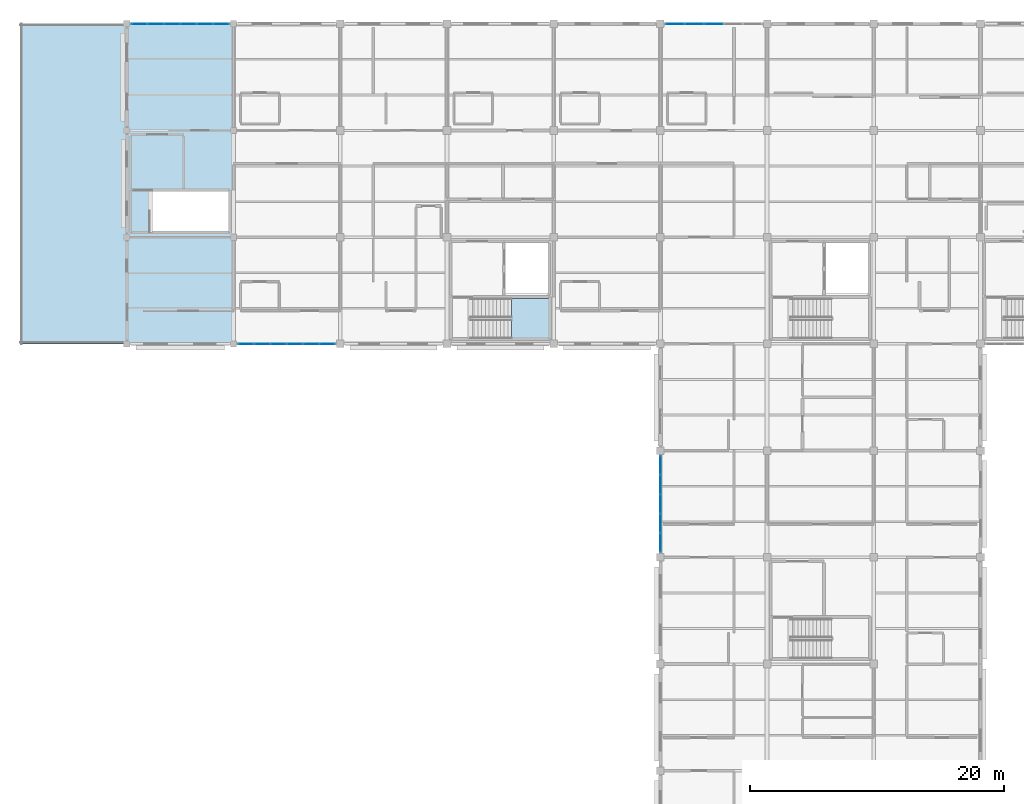
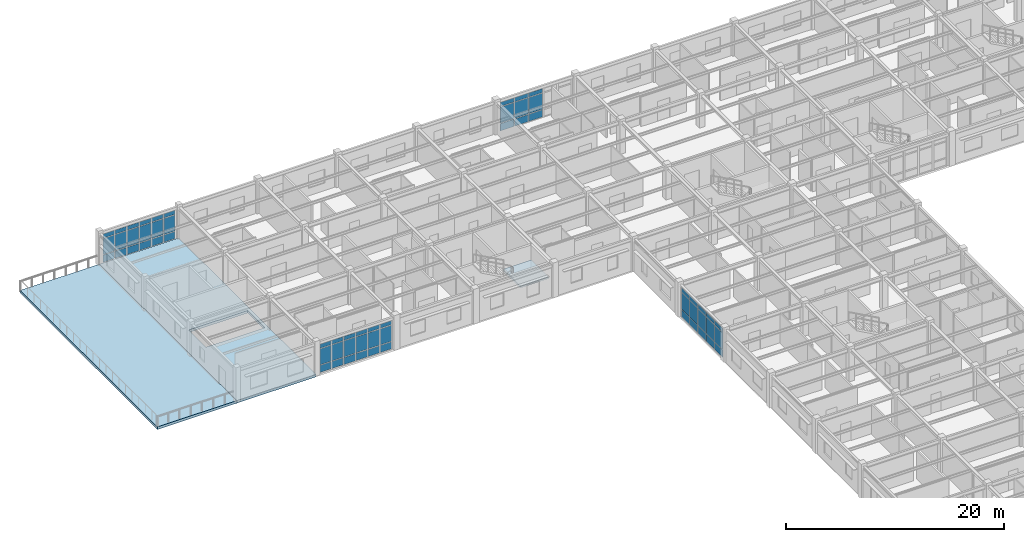
# One storey, part 40 of 70: 60 plates, 3 slabs, 5 elements without a shape of their own.
"""IFC4 building model written with IfcOpenShell, lengths in metres."""

from ifc_helpers import new_model, si_unit, direction, frame, origin, origin_2d, place, context, subcontext, project, spatial, polyline, rectangle, outline, extrude, material, layer, layer_set, type_object, element, aggregate, save


model = new_model("IFC4")

# Units and contexts
model_context = context("Model", 3, precision=1e-05, world=origin(), true_north=direction((0.0, 1.0)))
body_context = subcontext(model_context, "Body", "Model", "MODEL_VIEW")
ifc_project = project(units=[si_unit("LENGTHUNIT", "METRE"), si_unit("AREAUNIT", "SQUARE_METRE"), si_unit("VOLUMEUNIT", "CUBIC_METRE"), si_unit("PLANEANGLEUNIT", "RADIAN"), si_unit("MASSUNIT", "GRAM", prefix="KILO")], contexts=[model_context])

# Site, building, storey
site_placement = place(None, origin())
site = spatial("IfcSite", under=ifc_project, at=site_placement, CompositionType="ELEMENT")
building_placement = place(site_placement, origin())
building = spatial("IfcBuilding", under=site, at=building_placement, Name="Bramfleet General Hospital", CompositionType="ELEMENT")
storey_placement = place(building_placement, frame((0.0, 0.0, 22.5)))
storey = spatial("IfcBuildingStorey", under=building, at=storey_placement, Name="L05", CompositionType="ELEMENT", Elevation=22.5)

# Curtain wall, plates
ifc_material_1 = material(Name="Anodised aluminium and low-E triple glazing", Category="aluminium")
ifc_layer_1 = layer(ifc_material_1, 0.179931640625, Name="CWT-CW-03")
ifc_layer_set_1 = layer_set([ifc_layer_1], Name="Anodised aluminium and low-E triple glazing")
curtain_wall_type_1 = type_object("IfcCurtainWallType", Name="CWT-CW-03", PredefinedType="USERDEFINED", material=ifc_layer_set_1)
curtain_wall_1_placement = place(storey_placement, origin())
curtain_wall_1 = element("IfcCurtainWall", 1, at=curtain_wall_1_placement, inside=storey, type_object=curtain_wall_type_1, Name="L05 Curtain Wall 201", ObjectType="Unitised curtain wall", PredefinedType="USERDEFINED")
ifc_material_2 = material(Name="Low-E laminated safety glass", Category="glass")
ifc_layer_2 = layer(ifc_material_2, 0.028076171875, Name="CWP-GLZ-1")
ifc_layer_set_2 = layer_set([ifc_layer_2], Name="Low-E laminated safety glass")
plate_type_1 = type_object("IfcPlateType", Name="CWP-GLZ-1", PredefinedType="CURTAIN_PANEL", material=ifc_layer_set_2)
plate_1_placement = place(storey_placement, frame((66.165771484375, 92.39990234375, 0.06494140625), z_axis=(0.0, 0.0, 1.0), x_axis=(-1.0, 0.0, 0.0)))
plate_1 = element("IfcPlate", 2, at=plate_1_placement, type_object=plate_type_1, Name="CW-03 panel 1.1", PredefinedType="CURTAIN_PANEL", context=body_context, shape_type="SweptSolid", body=[
    extrude(rectangle(XDim=1.17822265625, YDim=0.028076171875, at=origin_2d()), origin(), (0.0, 0.0, 1.0), 0.802490234375),
])
plate_2_placement = place(storey_placement, frame((66.165771484375, 92.39990234375, 0.9326171875), z_axis=(0.0, 0.0, 1.0), x_axis=(-1.0, 0.0, 0.0)))
plate_2 = element("IfcPlate", 3, at=plate_2_placement, type_object=plate_type_1, Name="CW-03 panel 1.2", PredefinedType="CURTAIN_PANEL", context=body_context, shape_type="SweptSolid", body=[
    extrude(rectangle(XDim=1.17822265625, YDim=0.028076171875, at=origin_2d()), origin(), (0.0, 0.0, 1.0), 1.784912109375),
])
plate_3_placement = place(storey_placement, frame((66.165771484375, 92.39990234375, 2.78271484375), z_axis=(0.0, 0.0, 1.0), x_axis=(-1.0, 0.0, 0.0)))
plate_3 = element("IfcPlate", 4, at=plate_3_placement, type_object=plate_type_1, Name="CW-03 panel 1.3", PredefinedType="CURTAIN_PANEL", context=body_context, shape_type="SweptSolid", body=[
    extrude(rectangle(XDim=1.17822265625, YDim=0.028076171875, at=origin_2d()), origin(), (0.0, 0.0, 1.0), 0.452392578125),
])
plate_4_placement = place(storey_placement, frame((64.89990234375, 92.39990234375, 0.06494140625), z_axis=(0.0, 0.0, 1.0), x_axis=(-1.0, 0.0, 0.0)))
plate_4 = element("IfcPlate", 5, at=plate_4_placement, type_object=plate_type_1, Name="CW-03 panel 2.1", PredefinedType="CURTAIN_PANEL", context=body_context, shape_type="SweptSolid", body=[
    extrude(rectangle(XDim=1.21337890625, YDim=0.028076171875, at=origin_2d()), origin(), (0.0, 0.0, 1.0), 0.802490234375),
])
plate_5_placement = place(storey_placement, frame((64.89990234375, 92.39990234375, 0.9326171875), z_axis=(0.0, 0.0, 1.0), x_axis=(-1.0, 0.0, 0.0)))
plate_5 = element("IfcPlate", 6, at=plate_5_placement, type_object=plate_type_1, Name="CW-03 panel 2.2", PredefinedType="CURTAIN_PANEL", context=body_context, shape_type="SweptSolid", body=[
    extrude(rectangle(XDim=1.21337890625, YDim=0.028076171875, at=origin_2d()), origin(), (0.0, 0.0, 1.0), 1.784912109375),
])
plate_6_placement = place(storey_placement, frame((64.89990234375, 92.39990234375, 2.78271484375), z_axis=(0.0, 0.0, 1.0), x_axis=(-1.0, 0.0, 0.0)))
plate_6 = element("IfcPlate", 7, at=plate_6_placement, type_object=plate_type_1, Name="CW-03 panel 2.3", PredefinedType="CURTAIN_PANEL", context=body_context, shape_type="SweptSolid", body=[
    extrude(rectangle(XDim=1.21337890625, YDim=0.028076171875, at=origin_2d()), origin(), (0.0, 0.0, 1.0), 0.452392578125),
])
plate_7_placement = place(storey_placement, frame((63.61669921875, 92.39990234375, 0.06494140625), z_axis=(0.0, 0.0, 1.0), x_axis=(-1.0, 0.0, 0.0)))
plate_7 = element("IfcPlate", 8, at=plate_7_placement, type_object=plate_type_1, Name="CW-03 panel 3.1", PredefinedType="CURTAIN_PANEL", context=body_context, shape_type="SweptSolid", body=[
    extrude(rectangle(XDim=1.21337890625, YDim=0.028076171875, at=origin_2d()), origin(), (0.0, 0.0, 1.0), 0.802490234375),
])
plate_8_placement = place(storey_placement, frame((63.61669921875, 92.39990234375, 0.9326171875), z_axis=(0.0, 0.0, 1.0), x_axis=(-1.0, 0.0, 0.0)))
plate_8 = element("IfcPlate", 9, at=plate_8_placement, type_object=plate_type_1, Name="CW-03 panel 3.2", PredefinedType="CURTAIN_PANEL", context=body_context, shape_type="SweptSolid", body=[
    extrude(rectangle(XDim=1.21337890625, YDim=0.028076171875, at=origin_2d()), origin(), (0.0, 0.0, 1.0), 1.784912109375),
])
plate_9_placement = place(storey_placement, frame((63.61669921875, 92.39990234375, 2.78271484375), z_axis=(0.0, 0.0, 1.0), x_axis=(-1.0, 0.0, 0.0)))
plate_9 = element("IfcPlate", 10, at=plate_9_placement, type_object=plate_type_1, Name="CW-03 panel 3.3", PredefinedType="CURTAIN_PANEL", context=body_context, shape_type="SweptSolid", body=[
    extrude(rectangle(XDim=1.21337890625, YDim=0.028076171875, at=origin_2d()), origin(), (0.0, 0.0, 1.0), 0.452392578125),
])
plate_10_placement = place(storey_placement, frame((62.333251953125, 92.39990234375, 0.06494140625), z_axis=(0.0, 0.0, 1.0), x_axis=(-1.0, 0.0, 0.0)))
plate_10 = element("IfcPlate", 11, at=plate_10_placement, type_object=plate_type_1, Name="CW-03 panel 4.1", PredefinedType="CURTAIN_PANEL", context=body_context, shape_type="SweptSolid", body=[
    extrude(rectangle(XDim=1.21337890625, YDim=0.028076171875, at=origin_2d()), origin(), (0.0, 0.0, 1.0), 0.802490234375),
])
plate_11_placement = place(storey_placement, frame((62.333251953125, 92.39990234375, 0.9326171875), z_axis=(0.0, 0.0, 1.0), x_axis=(-1.0, 0.0, 0.0)))
plate_11 = element("IfcPlate", 12, at=plate_11_placement, type_object=plate_type_1, Name="CW-03 panel 4.2", PredefinedType="CURTAIN_PANEL", context=body_context, shape_type="SweptSolid", body=[
    extrude(rectangle(XDim=1.21337890625, YDim=0.028076171875, at=origin_2d()), origin(), (0.0, 0.0, 1.0), 1.784912109375),
])
plate_12_placement = place(storey_placement, frame((62.333251953125, 92.39990234375, 2.78271484375), z_axis=(0.0, 0.0, 1.0), x_axis=(-1.0, 0.0, 0.0)))
plate_12 = element("IfcPlate", 13, at=plate_12_placement, type_object=plate_type_1, Name="CW-03 panel 4.3", PredefinedType="CURTAIN_PANEL", context=body_context, shape_type="SweptSolid", body=[
    extrude(rectangle(XDim=1.21337890625, YDim=0.028076171875, at=origin_2d()), origin(), (0.0, 0.0, 1.0), 0.452392578125),
])
plate_13_placement = place(storey_placement, frame((61.050048828125, 92.39990234375, 0.06494140625), z_axis=(0.0, 0.0, 1.0), x_axis=(-1.0, 0.0, 0.0)))
plate_13 = element("IfcPlate", 14, at=plate_13_placement, type_object=plate_type_1, Name="CW-03 panel 5.1", PredefinedType="CURTAIN_PANEL", context=body_context, shape_type="SweptSolid", body=[
    extrude(rectangle(XDim=1.21337890625, YDim=0.028076171875, at=origin_2d()), origin(), (0.0, 0.0, 1.0), 0.802490234375),
])
plate_14_placement = place(storey_placement, frame((61.050048828125, 92.39990234375, 0.9326171875), z_axis=(0.0, 0.0, 1.0), x_axis=(-1.0, 0.0, 0.0)))
plate_14 = element("IfcPlate", 15, at=plate_14_placement, type_object=plate_type_1, Name="CW-03 panel 5.2", PredefinedType="CURTAIN_PANEL", context=body_context, shape_type="SweptSolid", body=[
    extrude(rectangle(XDim=1.21337890625, YDim=0.028076171875, at=origin_2d()), origin(), (0.0, 0.0, 1.0), 1.784912109375),
])
plate_15_placement = place(storey_placement, frame((61.050048828125, 92.39990234375, 2.78271484375), z_axis=(0.0, 0.0, 1.0), x_axis=(-1.0, 0.0, 0.0)))
plate_15 = element("IfcPlate", 16, at=plate_15_placement, type_object=plate_type_1, Name="CW-03 panel 5.3", PredefinedType="CURTAIN_PANEL", context=body_context, shape_type="SweptSolid", body=[
    extrude(rectangle(XDim=1.21337890625, YDim=0.028076171875, at=origin_2d()), origin(), (0.0, 0.0, 1.0), 0.452392578125),
])
plate_16_placement = place(storey_placement, frame((59.7841796875, 92.39990234375, 0.06494140625), z_axis=(0.0, 0.0, 1.0), x_axis=(-1.0, 0.0, 0.0)))
plate_16 = element("IfcPlate", 17, at=plate_16_placement, type_object=plate_type_1, Name="CW-03 panel 6.1", PredefinedType="CURTAIN_PANEL", context=body_context, shape_type="SweptSolid", body=[
    extrude(rectangle(XDim=1.17822265625, YDim=0.028076171875, at=origin_2d()), origin(), (0.0, 0.0, 1.0), 0.802490234375),
])
plate_17_placement = place(storey_placement, frame((59.7841796875, 92.39990234375, 0.9326171875), z_axis=(0.0, 0.0, 1.0), x_axis=(-1.0, 0.0, 0.0)))
plate_17 = element("IfcPlate", 18, at=plate_17_placement, type_object=plate_type_1, Name="CW-03 panel 6.2", PredefinedType="CURTAIN_PANEL", context=body_context, shape_type="SweptSolid", body=[
    extrude(rectangle(XDim=1.17822265625, YDim=0.028076171875, at=origin_2d()), origin(), (0.0, 0.0, 1.0), 1.784912109375),
])
plate_18_placement = place(storey_placement, frame((59.7841796875, 92.39990234375, 2.78271484375), z_axis=(0.0, 0.0, 1.0), x_axis=(-1.0, 0.0, 0.0)))
plate_18 = element("IfcPlate", 19, at=plate_18_placement, type_object=plate_type_1, Name="CW-03 panel 6.3", PredefinedType="CURTAIN_PANEL", context=body_context, shape_type="SweptSolid", body=[
    extrude(rectangle(XDim=1.17822265625, YDim=0.028076171875, at=origin_2d()), origin(), (0.0, 0.0, 1.0), 0.452392578125),
])
aggregate(curtain_wall_1, [plate_1, plate_2, plate_3, plate_4, plate_5, plate_6, plate_7, plate_8, plate_9, plate_10, plate_11, plate_12, plate_13, plate_14, plate_15, plate_16, plate_17, plate_18])

ifc_layer_3 = layer(ifc_material_1, 0.179931640625, Name="CWT-CW-04")
ifc_layer_set_3 = layer_set([ifc_layer_3], Name="Anodised aluminium and low-E triple glazing")
curtain_wall_type_2 = type_object("IfcCurtainWallType", Name="CWT-CW-04", PredefinedType="USERDEFINED", material=ifc_layer_set_3)
curtain_wall_2_placement = place(storey_placement, origin())
curtain_wall_2 = element("IfcCurtainWall", 20, at=curtain_wall_2_placement, inside=storey, type_object=curtain_wall_type_2, Name="L05 Curtain Wall 202", ObjectType="Unitised curtain wall", PredefinedType="USERDEFINED")
ifc_layer_4 = layer(ifc_material_2, 0.031982421875, Name="CWP-GLZ-2")
ifc_layer_set_4 = layer_set([ifc_layer_4], Name="Low-E laminated safety glass")
plate_type_2 = type_object("IfcPlateType", Name="CWP-GLZ-2", PredefinedType="CURTAIN_PANEL", material=ifc_layer_set_4)
plate_19_placement = place(storey_placement, frame((51.388427734375, 117.60009765625, 0.06494140625), z_axis=(0.0, 0.0, 1.0), x_axis=(1.0, 0.0, 0.0)))
plate_19 = element("IfcPlate", 21, at=plate_19_placement, type_object=plate_type_2, Name="CW-04 panel 1.1", PredefinedType="CURTAIN_PANEL", context=body_context, shape_type="SweptSolid", body=[
    extrude(rectangle(XDim=1.186767578125, YDim=0.031982421875, at=origin_2d()), origin(), (0.0, 0.0, 1.0), 0.802490234375),
])
plate_20_placement = place(storey_placement, frame((51.388427734375, 117.60009765625, 0.9326171875), z_axis=(0.0, 0.0, 1.0), x_axis=(1.0, 0.0, 0.0)))
plate_20 = element("IfcPlate", 22, at=plate_20_placement, type_object=plate_type_2, Name="CW-04 panel 1.2", PredefinedType="CURTAIN_PANEL", context=body_context, shape_type="SweptSolid", body=[
    extrude(rectangle(XDim=1.186767578125, YDim=0.031982421875, at=origin_2d()), origin(), (0.0, 0.0, 1.0), 1.784912109375),
])
plate_21_placement = place(storey_placement, frame((51.388427734375, 117.60009765625, 2.78271484375), z_axis=(0.0, 0.0, 1.0), x_axis=(1.0, 0.0, 0.0)))
plate_21 = element("IfcPlate", 23, at=plate_21_placement, type_object=plate_type_2, Name="CW-04 panel 1.3", PredefinedType="CURTAIN_PANEL", context=body_context, shape_type="SweptSolid", body=[
    extrude(rectangle(XDim=1.186767578125, YDim=0.031982421875, at=origin_2d()), origin(), (0.0, 0.0, 1.0), 0.452392578125),
])
plate_22_placement = place(storey_placement, frame((52.66259765625, 117.60009765625, 0.06494140625), z_axis=(0.0, 0.0, 1.0), x_axis=(1.0, 0.0, 0.0)))
plate_22 = element("IfcPlate", 24, at=plate_22_placement, type_object=plate_type_2, Name="CW-04 panel 2.1", PredefinedType="CURTAIN_PANEL", context=body_context, shape_type="SweptSolid", body=[
    extrude(rectangle(XDim=1.2216796875, YDim=0.031982421875, at=origin_2d()), origin(), (0.0, 0.0, 1.0), 0.802490234375),
])
plate_23_placement = place(storey_placement, frame((52.66259765625, 117.60009765625, 0.9326171875), z_axis=(0.0, 0.0, 1.0), x_axis=(1.0, 0.0, 0.0)))
plate_23 = element("IfcPlate", 25, at=plate_23_placement, type_object=plate_type_2, Name="CW-04 panel 2.2", PredefinedType="CURTAIN_PANEL", context=body_context, shape_type="SweptSolid", body=[
    extrude(rectangle(XDim=1.2216796875, YDim=0.031982421875, at=origin_2d()), origin(), (0.0, 0.0, 1.0), 1.784912109375),
])
plate_24_placement = place(storey_placement, frame((52.66259765625, 117.60009765625, 2.78271484375), z_axis=(0.0, 0.0, 1.0), x_axis=(1.0, 0.0, 0.0)))
plate_24 = element("IfcPlate", 26, at=plate_24_placement, type_object=plate_type_2, Name="CW-04 panel 2.3", PredefinedType="CURTAIN_PANEL", context=body_context, shape_type="SweptSolid", body=[
    extrude(rectangle(XDim=1.2216796875, YDim=0.031982421875, at=origin_2d()), origin(), (0.0, 0.0, 1.0), 0.452392578125),
])
plate_25_placement = place(storey_placement, frame((53.9541015625, 117.60009765625, 0.06494140625), z_axis=(0.0, 0.0, 1.0), x_axis=(1.0, 0.0, 0.0)))
plate_25 = element("IfcPlate", 27, at=plate_25_placement, type_object=plate_type_2, Name="CW-04 panel 3.1", PredefinedType="CURTAIN_PANEL", context=body_context, shape_type="SweptSolid", body=[
    extrude(rectangle(XDim=1.2216796875, YDim=0.031982421875, at=origin_2d()), origin(), (0.0, 0.0, 1.0), 0.802490234375),
])
plate_26_placement = place(storey_placement, frame((53.9541015625, 117.60009765625, 0.9326171875), z_axis=(0.0, 0.0, 1.0), x_axis=(1.0, 0.0, 0.0)))
plate_26 = element("IfcPlate", 28, at=plate_26_placement, type_object=plate_type_2, Name="CW-04 panel 3.2", PredefinedType="CURTAIN_PANEL", context=body_context, shape_type="SweptSolid", body=[
    extrude(rectangle(XDim=1.2216796875, YDim=0.031982421875, at=origin_2d()), origin(), (0.0, 0.0, 1.0), 1.784912109375),
])
plate_27_placement = place(storey_placement, frame((53.9541015625, 117.60009765625, 2.78271484375), z_axis=(0.0, 0.0, 1.0), x_axis=(1.0, 0.0, 0.0)))
plate_27 = element("IfcPlate", 29, at=plate_27_placement, type_object=plate_type_2, Name="CW-04 panel 3.3", PredefinedType="CURTAIN_PANEL", context=body_context, shape_type="SweptSolid", body=[
    extrude(rectangle(XDim=1.2216796875, YDim=0.031982421875, at=origin_2d()), origin(), (0.0, 0.0, 1.0), 0.452392578125),
])
plate_28_placement = place(storey_placement, frame((55.245849609375, 117.60009765625, 0.06494140625), z_axis=(0.0, 0.0, 1.0), x_axis=(1.0, 0.0, 0.0)))
plate_28 = element("IfcPlate", 30, at=plate_28_placement, type_object=plate_type_2, Name="CW-04 panel 4.1", PredefinedType="CURTAIN_PANEL", context=body_context, shape_type="SweptSolid", body=[
    extrude(rectangle(XDim=1.2216796875, YDim=0.031982421875, at=origin_2d()), origin(), (0.0, 0.0, 1.0), 0.802490234375),
])
plate_29_placement = place(storey_placement, frame((55.245849609375, 117.60009765625, 0.9326171875), z_axis=(0.0, 0.0, 1.0), x_axis=(1.0, 0.0, 0.0)))
plate_29 = element("IfcPlate", 31, at=plate_29_placement, type_object=plate_type_2, Name="CW-04 panel 4.2", PredefinedType="CURTAIN_PANEL", context=body_context, shape_type="SweptSolid", body=[
    extrude(rectangle(XDim=1.2216796875, YDim=0.031982421875, at=origin_2d()), origin(), (0.0, 0.0, 1.0), 1.784912109375),
])
plate_30_placement = place(storey_placement, frame((55.245849609375, 117.60009765625, 2.78271484375), z_axis=(0.0, 0.0, 1.0), x_axis=(1.0, 0.0, 0.0)))
plate_30 = element("IfcPlate", 32, at=plate_30_placement, type_object=plate_type_2, Name="CW-04 panel 4.3", PredefinedType="CURTAIN_PANEL", context=body_context, shape_type="SweptSolid", body=[
    extrude(rectangle(XDim=1.2216796875, YDim=0.031982421875, at=origin_2d()), origin(), (0.0, 0.0, 1.0), 0.452392578125),
])
plate_31_placement = place(storey_placement, frame((56.53759765625, 117.60009765625, 0.06494140625), z_axis=(0.0, 0.0, 1.0), x_axis=(1.0, 0.0, 0.0)))
plate_31 = element("IfcPlate", 33, at=plate_31_placement, type_object=plate_type_2, Name="CW-04 panel 5.1", PredefinedType="CURTAIN_PANEL", context=body_context, shape_type="SweptSolid", body=[
    extrude(rectangle(XDim=1.2216796875, YDim=0.031982421875, at=origin_2d()), origin(), (0.0, 0.0, 1.0), 0.802490234375),
])
plate_32_placement = place(storey_placement, frame((56.53759765625, 117.60009765625, 0.9326171875), z_axis=(0.0, 0.0, 1.0), x_axis=(1.0, 0.0, 0.0)))
plate_32 = element("IfcPlate", 34, at=plate_32_placement, type_object=plate_type_2, Name="CW-04 panel 5.2", PredefinedType="CURTAIN_PANEL", context=body_context, shape_type="SweptSolid", body=[
    extrude(rectangle(XDim=1.2216796875, YDim=0.031982421875, at=origin_2d()), origin(), (0.0, 0.0, 1.0), 1.784912109375),
])
plate_33_placement = place(storey_placement, frame((56.53759765625, 117.60009765625, 2.78271484375), z_axis=(0.0, 0.0, 1.0), x_axis=(1.0, 0.0, 0.0)))
plate_33 = element("IfcPlate", 35, at=plate_33_placement, type_object=plate_type_2, Name="CW-04 panel 5.3", PredefinedType="CURTAIN_PANEL", context=body_context, shape_type="SweptSolid", body=[
    extrude(rectangle(XDim=1.2216796875, YDim=0.031982421875, at=origin_2d()), origin(), (0.0, 0.0, 1.0), 0.452392578125),
])
plate_34_placement = place(storey_placement, frame((57.811767578125, 117.60009765625, 0.06494140625), z_axis=(0.0, 0.0, 1.0), x_axis=(1.0, 0.0, 0.0)))
plate_34 = element("IfcPlate", 36, at=plate_34_placement, type_object=plate_type_2, Name="CW-04 panel 6.1", PredefinedType="CURTAIN_PANEL", context=body_context, shape_type="SweptSolid", body=[
    extrude(rectangle(XDim=1.186767578125, YDim=0.031982421875, at=origin_2d()), origin(), (0.0, 0.0, 1.0), 0.802490234375),
])
plate_35_placement = place(storey_placement, frame((57.811767578125, 117.60009765625, 0.9326171875), z_axis=(0.0, 0.0, 1.0), x_axis=(1.0, 0.0, 0.0)))
plate_35 = element("IfcPlate", 37, at=plate_35_placement, type_object=plate_type_2, Name="CW-04 panel 6.2", PredefinedType="CURTAIN_PANEL", context=body_context, shape_type="SweptSolid", body=[
    extrude(rectangle(XDim=1.186767578125, YDim=0.031982421875, at=origin_2d()), origin(), (0.0, 0.0, 1.0), 1.784912109375),
])
plate_36_placement = place(storey_placement, frame((57.811767578125, 117.60009765625, 2.78271484375), z_axis=(0.0, 0.0, 1.0), x_axis=(1.0, 0.0, 0.0)))
plate_36 = element("IfcPlate", 38, at=plate_36_placement, type_object=plate_type_2, Name="CW-04 panel 6.3", PredefinedType="CURTAIN_PANEL", context=body_context, shape_type="SweptSolid", body=[
    extrude(rectangle(XDim=1.186767578125, YDim=0.031982421875, at=origin_2d()), origin(), (0.0, 0.0, 1.0), 0.452392578125),
])
aggregate(curtain_wall_2, [plate_19, plate_20, plate_21, plate_22, plate_23, plate_24, plate_25, plate_26, plate_27, plate_28, plate_29, plate_30, plate_31, plate_32, plate_33, plate_34, plate_35, plate_36])

ifc_layer_5 = layer(ifc_material_1, 0.179931640625, Name="CWT-CW-05")
ifc_layer_set_5 = layer_set([ifc_layer_5], Name="Anodised aluminium and low-E triple glazing")
curtain_wall_type_3 = type_object("IfcCurtainWallType", Name="CWT-CW-05", PredefinedType="USERDEFINED", material=ifc_layer_set_5)
curtain_wall_3_placement = place(storey_placement, origin())
curtain_wall_3 = element("IfcCurtainWall", 39, at=curtain_wall_3_placement, inside=storey, type_object=curtain_wall_type_3, Name="L05 Curtain Wall 203", ObjectType="Unitised curtain wall", PredefinedType="USERDEFINED")
ifc_layer_6 = layer(ifc_material_2, 0.035888671875, Name="CWP-GLZ-3")
ifc_layer_set_6 = layer_set([ifc_layer_6], Name="Low-E laminated safety glass")
plate_type_3 = type_object("IfcPlateType", Name="CWP-GLZ-3", PredefinedType="CURTAIN_PANEL", material=ifc_layer_set_6)
plate_37_placement = place(storey_placement, frame((93.5576171875, 117.60009765625, 0.06494140625), z_axis=(0.0, 0.0, 1.0), x_axis=(1.0, 0.0, 0.0)))
plate_37 = element("IfcPlate", 40, at=plate_37_placement, type_object=plate_type_3, Name="CW-05 panel 1.1", PredefinedType="CURTAIN_PANEL", context=body_context, shape_type="SweptSolid", body=[
    extrude(rectangle(XDim=1.425048828125, YDim=0.035888671875, at=origin_2d()), origin(), (0.0, 0.0, 1.0), 0.802490234375),
])
plate_38_placement = place(storey_placement, frame((93.5576171875, 117.60009765625, 0.9326171875), z_axis=(0.0, 0.0, 1.0), x_axis=(1.0, 0.0, 0.0)))
plate_38 = element("IfcPlate", 41, at=plate_38_placement, type_object=plate_type_3, Name="CW-05 panel 1.2", PredefinedType="CURTAIN_PANEL", context=body_context, shape_type="SweptSolid", body=[
    extrude(rectangle(XDim=1.425048828125, YDim=0.035888671875, at=origin_2d()), origin(), (0.0, 0.0, 1.0), 1.794921875),
])
plate_39_placement = place(storey_placement, frame((93.5576171875, 117.60009765625, 2.79248046875), z_axis=(0.0, 0.0, 1.0), x_axis=(1.0, 0.0, 0.0)))
plate_39 = element("IfcPlate", 42, at=plate_39_placement, type_object=plate_type_3, Name="CW-05 panel 1.3", PredefinedType="CURTAIN_PANEL", context=body_context, shape_type="SweptSolid", body=[
    extrude(rectangle(XDim=1.425048828125, YDim=0.035888671875, at=origin_2d()), origin(), (0.0, 0.0, 1.0), 0.452392578125),
])
plate_40_placement = place(storey_placement, frame((95.070068359375, 117.60009765625, 0.06494140625), z_axis=(0.0, 0.0, 1.0), x_axis=(1.0, 0.0, 0.0)))
plate_40 = element("IfcPlate", 43, at=plate_40_placement, type_object=plate_type_3, Name="CW-05 panel 2.1", PredefinedType="CURTAIN_PANEL", context=body_context, shape_type="SweptSolid", body=[
    extrude(rectangle(XDim=1.4599609375, YDim=0.035888671875, at=origin_2d()), origin(), (0.0, 0.0, 1.0), 0.802490234375),
])
plate_41_placement = place(storey_placement, frame((95.070068359375, 117.60009765625, 0.9326171875), z_axis=(0.0, 0.0, 1.0), x_axis=(1.0, 0.0, 0.0)))
plate_41 = element("IfcPlate", 44, at=plate_41_placement, type_object=plate_type_3, Name="CW-05 panel 2.2", PredefinedType="CURTAIN_PANEL", context=body_context, shape_type="SweptSolid", body=[
    extrude(rectangle(XDim=1.4599609375, YDim=0.035888671875, at=origin_2d()), origin(), (0.0, 0.0, 1.0), 1.794921875),
])
plate_42_placement = place(storey_placement, frame((95.070068359375, 117.60009765625, 2.79248046875), z_axis=(0.0, 0.0, 1.0), x_axis=(1.0, 0.0, 0.0)))
plate_42 = element("IfcPlate", 45, at=plate_42_placement, type_object=plate_type_3, Name="CW-05 panel 2.3", PredefinedType="CURTAIN_PANEL", context=body_context, shape_type="SweptSolid", body=[
    extrude(rectangle(XDim=1.4599609375, YDim=0.035888671875, at=origin_2d()), origin(), (0.0, 0.0, 1.0), 0.452392578125),
])
plate_43_placement = place(storey_placement, frame((96.60009765625, 117.60009765625, 0.06494140625), z_axis=(0.0, 0.0, 1.0), x_axis=(1.0, 0.0, 0.0)))
plate_43 = element("IfcPlate", 46, at=plate_43_placement, type_object=plate_type_3, Name="CW-05 panel 3.1", PredefinedType="CURTAIN_PANEL", context=body_context, shape_type="SweptSolid", body=[
    extrude(rectangle(XDim=1.4599609375, YDim=0.035888671875, at=origin_2d()), origin(), (0.0, 0.0, 1.0), 0.802490234375),
])
plate_44_placement = place(storey_placement, frame((96.60009765625, 117.60009765625, 0.9326171875), z_axis=(0.0, 0.0, 1.0), x_axis=(1.0, 0.0, 0.0)))
plate_44 = element("IfcPlate", 47, at=plate_44_placement, type_object=plate_type_3, Name="CW-05 panel 3.2", PredefinedType="CURTAIN_PANEL", context=body_context, shape_type="SweptSolid", body=[
    extrude(rectangle(XDim=1.4599609375, YDim=0.035888671875, at=origin_2d()), origin(), (0.0, 0.0, 1.0), 1.794921875),
])
plate_45_placement = place(storey_placement, frame((96.60009765625, 117.60009765625, 2.79248046875), z_axis=(0.0, 0.0, 1.0), x_axis=(1.0, 0.0, 0.0)))
plate_45 = element("IfcPlate", 48, at=plate_45_placement, type_object=plate_type_3, Name="CW-05 panel 3.3", PredefinedType="CURTAIN_PANEL", context=body_context, shape_type="SweptSolid", body=[
    extrude(rectangle(XDim=1.4599609375, YDim=0.035888671875, at=origin_2d()), origin(), (0.0, 0.0, 1.0), 0.452392578125),
])
aggregate(curtain_wall_3, [plate_37, plate_38, plate_39, plate_40, plate_41, plate_42, plate_43, plate_44, plate_45])

ifc_layer_7 = layer(ifc_material_1, 0.179931640625, Name="CWT-CW-02")
ifc_layer_set_7 = layer_set([ifc_layer_7], Name="Anodised aluminium and low-E triple glazing")
curtain_wall_type_4 = type_object("IfcCurtainWallType", Name="CWT-CW-02", PredefinedType="USERDEFINED", material=ifc_layer_set_7)
curtain_wall_4_placement = place(storey_placement, origin())
curtain_wall_4 = element("IfcCurtainWall", 49, at=curtain_wall_4_placement, inside=storey, type_object=curtain_wall_type_4, Name="L05 Curtain Wall 200", ObjectType="Unitised curtain wall", PredefinedType="USERDEFINED")
ifc_layer_8 = layer(ifc_material_2, 0.0419921875, Name="CWP-GLZ-4")
ifc_layer_set_8 = layer_set([ifc_layer_8], Name="Low-E laminated safety glass")
plate_type_4 = type_object("IfcPlateType", Name="CWP-GLZ-4", PredefinedType="CURTAIN_PANEL", material=ifc_layer_set_8)
plate_46_placement = place(storey_placement, frame((92.39990234375, 76.757568359375, 0.06494140625), z_axis=(0.0, 0.0, 1.0), x_axis=(0.0, 1.0, 0.0)))
plate_46 = element("IfcPlate", 50, at=plate_46_placement, type_object=plate_type_4, Name="CW-02 panel 1.1", PredefinedType="CURTAIN_PANEL", context=body_context, shape_type="SweptSolid", body=[
    extrude(rectangle(XDim=1.425048828125, YDim=0.0419921875, at=origin_2d()), origin(), (0.0, 0.0, 1.0), 0.802490234375),
])
plate_47_placement = place(storey_placement, frame((92.39990234375, 76.757568359375, 0.9326171875), z_axis=(0.0, 0.0, 1.0), x_axis=(0.0, 1.0, 0.0)))
plate_47 = element("IfcPlate", 51, at=plate_47_placement, type_object=plate_type_4, Name="CW-02 panel 1.2", PredefinedType="CURTAIN_PANEL", context=body_context, shape_type="SweptSolid", body=[
    extrude(rectangle(XDim=1.425048828125, YDim=0.0419921875, at=origin_2d()), origin(), (0.0, 0.0, 1.0), 1.864990234375),
])
plate_48_placement = place(storey_placement, frame((92.39990234375, 76.757568359375, 2.86279296875), z_axis=(0.0, 0.0, 1.0), x_axis=(0.0, 1.0, 0.0)))
plate_48 = element("IfcPlate", 52, at=plate_48_placement, type_object=plate_type_4, Name="CW-02 panel 1.3", PredefinedType="CURTAIN_PANEL", context=body_context, shape_type="SweptSolid", body=[
    extrude(rectangle(XDim=1.425048828125, YDim=0.0419921875, at=origin_2d()), origin(), (0.0, 0.0, 1.0), 0.452392578125),
])
plate_49_placement = place(storey_placement, frame((92.39990234375, 78.27001953125, 0.06494140625), z_axis=(0.0, 0.0, 1.0), x_axis=(0.0, 1.0, 0.0)))
plate_49 = element("IfcPlate", 53, at=plate_49_placement, type_object=plate_type_4, Name="CW-02 panel 2.1", PredefinedType="CURTAIN_PANEL", context=body_context, shape_type="SweptSolid", body=[
    extrude(rectangle(XDim=1.4599609375, YDim=0.0419921875, at=origin_2d()), origin(), (0.0, 0.0, 1.0), 0.802490234375),
])
plate_50_placement = place(storey_placement, frame((92.39990234375, 78.27001953125, 0.9326171875), z_axis=(0.0, 0.0, 1.0), x_axis=(0.0, 1.0, 0.0)))
plate_50 = element("IfcPlate", 54, at=plate_50_placement, type_object=plate_type_4, Name="CW-02 panel 2.2", PredefinedType="CURTAIN_PANEL", context=body_context, shape_type="SweptSolid", body=[
    extrude(rectangle(XDim=1.4599609375, YDim=0.0419921875, at=origin_2d()), origin(), (0.0, 0.0, 1.0), 1.864990234375),
])
plate_51_placement = place(storey_placement, frame((92.39990234375, 78.27001953125, 2.86279296875), z_axis=(0.0, 0.0, 1.0), x_axis=(0.0, 1.0, 0.0)))
plate_51 = element("IfcPlate", 55, at=plate_51_placement, type_object=plate_type_4, Name="CW-02 panel 2.3", PredefinedType="CURTAIN_PANEL", context=body_context, shape_type="SweptSolid", body=[
    extrude(rectangle(XDim=1.4599609375, YDim=0.0419921875, at=origin_2d()), origin(), (0.0, 0.0, 1.0), 0.452392578125),
])
plate_52_placement = place(storey_placement, frame((92.39990234375, 79.800048828125, 0.06494140625), z_axis=(0.0, 0.0, 1.0), x_axis=(0.0, 1.0, 0.0)))
plate_52 = element("IfcPlate", 56, at=plate_52_placement, type_object=plate_type_4, Name="CW-02 panel 3.1", PredefinedType="CURTAIN_PANEL", context=body_context, shape_type="SweptSolid", body=[
    extrude(rectangle(XDim=1.4599609375, YDim=0.0419921875, at=origin_2d()), origin(), (0.0, 0.0, 1.0), 0.802490234375),
])
plate_53_placement = place(storey_placement, frame((92.39990234375, 79.800048828125, 0.9326171875), z_axis=(0.0, 0.0, 1.0), x_axis=(0.0, 1.0, 0.0)))
plate_53 = element("IfcPlate", 57, at=plate_53_placement, type_object=plate_type_4, Name="CW-02 panel 3.2", PredefinedType="CURTAIN_PANEL", context=body_context, shape_type="SweptSolid", body=[
    extrude(rectangle(XDim=1.4599609375, YDim=0.0419921875, at=origin_2d()), origin(), (0.0, 0.0, 1.0), 1.864990234375),
])
plate_54_placement = place(storey_placement, frame((92.39990234375, 79.800048828125, 2.86279296875), z_axis=(0.0, 0.0, 1.0), x_axis=(0.0, 1.0, 0.0)))
plate_54 = element("IfcPlate", 58, at=plate_54_placement, type_object=plate_type_4, Name="CW-02 panel 3.3", PredefinedType="CURTAIN_PANEL", context=body_context, shape_type="SweptSolid", body=[
    extrude(rectangle(XDim=1.4599609375, YDim=0.0419921875, at=origin_2d()), origin(), (0.0, 0.0, 1.0), 0.452392578125),
])
plate_55_placement = place(storey_placement, frame((92.39990234375, 81.330078125, 0.06494140625), z_axis=(0.0, 0.0, 1.0), x_axis=(0.0, 1.0, 0.0)))
plate_55 = element("IfcPlate", 59, at=plate_55_placement, type_object=plate_type_4, Name="CW-02 panel 4.1", PredefinedType="CURTAIN_PANEL", context=body_context, shape_type="SweptSolid", body=[
    extrude(rectangle(XDim=1.4599609375, YDim=0.0419921875, at=origin_2d()), origin(), (0.0, 0.0, 1.0), 0.802490234375),
])
plate_56_placement = place(storey_placement, frame((92.39990234375, 81.330078125, 0.9326171875), z_axis=(0.0, 0.0, 1.0), x_axis=(0.0, 1.0, 0.0)))
plate_56 = element("IfcPlate", 60, at=plate_56_placement, type_object=plate_type_4, Name="CW-02 panel 4.2", PredefinedType="CURTAIN_PANEL", context=body_context, shape_type="SweptSolid", body=[
    extrude(rectangle(XDim=1.4599609375, YDim=0.0419921875, at=origin_2d()), origin(), (0.0, 0.0, 1.0), 1.864990234375),
])
plate_57_placement = place(storey_placement, frame((92.39990234375, 81.330078125, 2.86279296875), z_axis=(0.0, 0.0, 1.0), x_axis=(0.0, 1.0, 0.0)))
plate_57 = element("IfcPlate", 61, at=plate_57_placement, type_object=plate_type_4, Name="CW-02 panel 4.3", PredefinedType="CURTAIN_PANEL", context=body_context, shape_type="SweptSolid", body=[
    extrude(rectangle(XDim=1.4599609375, YDim=0.0419921875, at=origin_2d()), origin(), (0.0, 0.0, 1.0), 0.452392578125),
])
plate_58_placement = place(storey_placement, frame((92.39990234375, 82.842529296875, 0.06494140625), z_axis=(0.0, 0.0, 1.0), x_axis=(0.0, 1.0, 0.0)))
plate_58 = element("IfcPlate", 62, at=plate_58_placement, type_object=plate_type_4, Name="CW-02 panel 5.1", PredefinedType="CURTAIN_PANEL", context=body_context, shape_type="SweptSolid", body=[
    extrude(rectangle(XDim=1.425048828125, YDim=0.0419921875, at=origin_2d()), origin(), (0.0, 0.0, 1.0), 0.802490234375),
])
plate_59_placement = place(storey_placement, frame((92.39990234375, 82.842529296875, 0.9326171875), z_axis=(0.0, 0.0, 1.0), x_axis=(0.0, 1.0, 0.0)))
plate_59 = element("IfcPlate", 63, at=plate_59_placement, type_object=plate_type_4, Name="CW-02 panel 5.2", PredefinedType="CURTAIN_PANEL", context=body_context, shape_type="SweptSolid", body=[
    extrude(rectangle(XDim=1.425048828125, YDim=0.0419921875, at=origin_2d()), origin(), (0.0, 0.0, 1.0), 1.864990234375),
])
plate_60_placement = place(storey_placement, frame((92.39990234375, 82.842529296875, 2.86279296875), z_axis=(0.0, 0.0, 1.0), x_axis=(0.0, 1.0, 0.0)))
plate_60 = element("IfcPlate", 64, at=plate_60_placement, type_object=plate_type_4, Name="CW-02 panel 5.3", PredefinedType="CURTAIN_PANEL", context=body_context, shape_type="SweptSolid", body=[
    extrude(rectangle(XDim=1.425048828125, YDim=0.0419921875, at=origin_2d()), origin(), (0.0, 0.0, 1.0), 0.452392578125),
])
aggregate(curtain_wall_4, [plate_46, plate_47, plate_48, plate_49, plate_50, plate_51, plate_52, plate_53, plate_54, plate_55, plate_56, plate_57, plate_58, plate_59, plate_60])

# Slab
ifc_material_3 = material(Name="Concrete C35/45", Category="concrete")
ifc_layer_9 = layer(ifc_material_3, 0.280029296875, Name="SL-FLR-280")
ifc_layer_set_9 = layer_set([ifc_layer_9], Name="Concrete C35/45")
slab_type_1 = type_object("IfcSlabType", Name="SL-FLR-280", PredefinedType="FLOOR", material=ifc_layer_set_9)
slab_1_placement = place(storey_placement, frame((0.0, 0.0, -0.280029296875)))
element("IfcSlab", 65, at=slab_1_placement, inside=storey, type_object=slab_type_1, Name="L05 Structural Floor Slab (WEST)", PredefinedType="FLOOR", context=body_context, shape_type="SweptSolid", body=[
    extrude(outline(polyline([(50.39990234375, 92.39990234375), (50.39990234375, 100.800048828125), (50.39990234375, 109.199951171875), (50.39990234375, 117.60009765625), (58.800048828125, 117.60009765625), (58.800048828125, 92.39990234375), (50.39990234375, 92.39990234375)]), holes=[polyline([(52.239990234375, 101.219970703125), (58.4599609375, 101.219970703125), (58.4599609375, 104.3798828125), (52.239990234375, 104.3798828125), (52.239990234375, 101.219970703125)])]), origin(), (0.0, 0.0, 1.0), 0.280029296875),
])

# Stair, slab
stair_type = type_object("IfcStairType", Name="STR-T4", PredefinedType="HALF_TURN_STAIR", material=ifc_material_3)
stair_placement = place(storey_placement, origin())
stair = element("IfcStair", 66, at=stair_placement, inside=storey, type_object=stair_type, Name="L05 Core C5 (North-West Ward Wing) Protected Escape Stair", PredefinedType="HALF_TURN_STAIR")
ifc_layer_10 = layer(ifc_material_3, 0.199951171875, Name="SL-LND-200")
ifc_layer_set_10 = layer_set([ifc_layer_10], Name="Concrete C35/45")
slab_type_2 = type_object("IfcSlabType", Name="SL-LND-200", PredefinedType="LANDING", material=ifc_layer_set_10)
slab_2_placement = place(storey_placement, frame((0.0, 0.0, 1.75)))
slab_2 = element("IfcSlab", 67, at=slab_2_placement, type_object=slab_type_2, Name="ST-C5 landing 1", PredefinedType="LANDING", context=body_context, shape_type="SweptSolid", body=[
    extrude(outline(polyline([(80.68505859375, 92.820068359375), (83.659912109375, 92.820068359375), (83.659912109375, 95.97998046875), (80.68505859375, 95.97998046875), (80.68505859375, 92.820068359375)])), origin(), (0.0, 0.0, 1.0), 0.199951171875),
])
aggregate(stair, [slab_2])

# Slab
ifc_layer_11 = layer(ifc_material_3, 0.2900390625, Name="SL-TER-290")
ifc_layer_set_11 = layer_set([ifc_layer_11], Name="Concrete C35/45")
slab_type_3 = type_object("IfcSlabType", Name="SL-TER-290", PredefinedType="FLOOR", material=ifc_layer_set_11)
slab_3_placement = place(storey_placement, frame((0.0, 0.0, -0.2900390625)))
element("IfcSlab", 68, at=slab_3_placement, inside=storey, type_object=slab_type_3, Name="L05 Setback Ward Terrace 3", PredefinedType="FLOOR", context=body_context, shape_type="SweptSolid", body=[
    extrude(outline(polyline([(42.0, 92.39990234375), (42.0, 100.800048828125), (42.0, 109.199951171875), (42.0, 117.60009765625), (50.39990234375, 117.60009765625), (50.39990234375, 109.199951171875), (50.39990234375, 100.800048828125), (50.39990234375, 92.39990234375), (42.0, 92.39990234375)])), origin(), (0.0, 0.0, 1.0), 0.2900390625),
])

save(model, "model.ifc")
